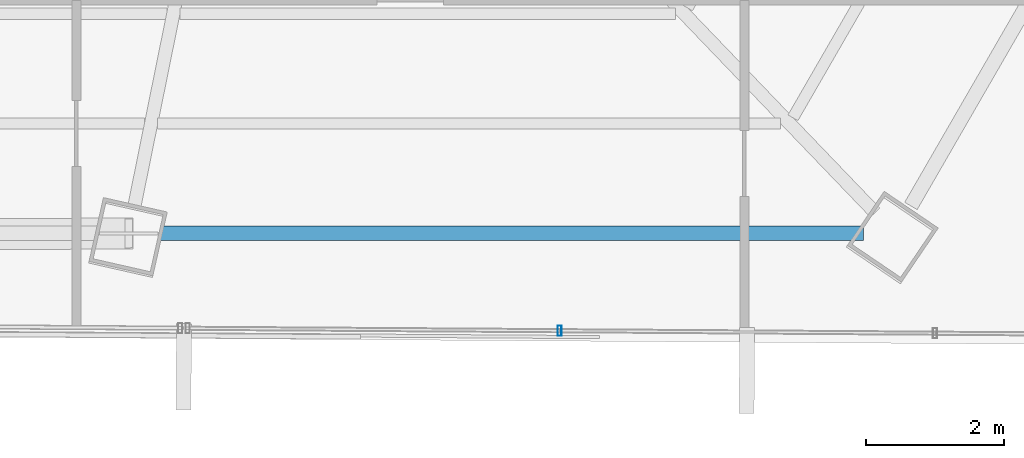
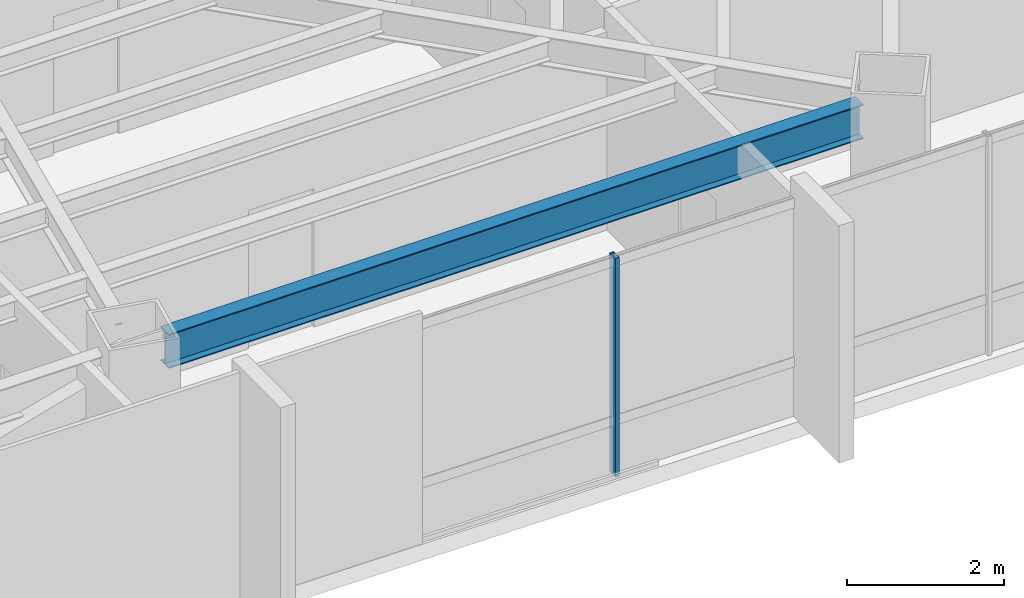
# One storey, part 16 of 40: 1 beam, 1 member, 1 element without a shape of its own.
"""IFC4 building model written with IfcOpenShell, lengths in metres."""

from ifc_helpers import new_model, si_unit, direction, frame, origin, origin_2d, place, context, subcontext, project, spatial, hollow_rectangle, i_section, extrude, source, transform, mapped, material, material_profile, profile_set, type_object, type_shapes, element, aggregate, save


model = new_model("IFC4")

# Units and contexts
model_context = context("Model", 3, precision=1e-05, world=origin(), true_north=direction((0.0, 1.0)))
body_context = subcontext(model_context, "Body", "Model", "MODEL_VIEW")
ifc_project = project(units=[si_unit("LENGTHUNIT", "METRE"), si_unit("AREAUNIT", "SQUARE_METRE"), si_unit("VOLUMEUNIT", "CUBIC_METRE"), si_unit("PLANEANGLEUNIT", "RADIAN"), si_unit("MASSUNIT", "GRAM", prefix="KILO")], contexts=[model_context])

# Site, building, storey
site_placement = place(None, origin())
site = spatial("IfcSite", under=ifc_project, at=site_placement, CompositionType="ELEMENT")
building_placement = place(site_placement, origin())
building = spatial("IfcBuilding", under=site, at=building_placement, Name="Caelisora Broadcast Tower", CompositionType="ELEMENT")
storey_placement = place(building_placement, frame((0.0, 0.0, 176.75)))
storey = spatial("IfcBuildingStorey", under=building, at=storey_placement, Name="L46", CompositionType="ELEMENT", Elevation=176.75)

# Beam
ifc_material_1 = material(Name="Steel Grade 350 (AS/NZS 3679.1)", Category="steel")
ifc_material_profile_1 = material_profile(ifc_material_1, i_section(OverallWidth=0.208984375, OverallDepth=0.532958984375, WebThickness=0.01025390625, FlangeThickness=0.015625, at=origin_2d()), Name="Steel Grade 350 (AS/NZS 3679.1)")
ifc_profile_set_1 = profile_set([ifc_material_profile_1], Name="Steel Grade 350 (AS/NZS 3679.1)")
beam_type = type_object("IfcBeamType", Name="PG05", PredefinedType="BEAM", material=ifc_profile_set_1)
shared_shape_1 = source(origin(), body_context, "Body", "SweptSolid", [
    extrude(i_section(OverallWidth=0.208984375, OverallDepth=0.532958984375, WebThickness=0.01025390625, FlangeThickness=0.015625, at=origin_2d()), origin(), (0.0, 0.0, 1.0), 10.206787109375),
])
type_shapes(beam_type, [shared_shape_1])
beam_placement = place(storey_placement, frame((44.0234375, 7.82666015625, 3.133544921875), z_axis=(1.0, 0.0, 0.0), x_axis=(0.0, 1.0, 0.0)))
element("IfcBeam", 1, at=beam_placement, inside=storey, type_object=beam_type, Name="L46 beam PG05", PredefinedType="BEAM", context=body_context, shape_type="MappedRepresentation", body=[
    mapped(shared_shape_1, transform((0.0, 0.0, 0.0), scale=1.0)),
])

# Curtain wall, member
ifc_material_2 = material(Name="Unitised Aluminium and Low-E Glass Curtain Wall", Category="glass")
curtain_wall_type = type_object("IfcCurtainWallType", Name="CW-Z3", PredefinedType="NOTDEFINED", material=ifc_material_2)
curtain_wall_placement = place(storey_placement, origin())
curtain_wall = element("IfcCurtainWall", 2, at=curtain_wall_placement, inside=storey, type_object=curtain_wall_type, Name="L46 curtain wall CW-Z3", PredefinedType="NOTDEFINED")
ifc_material_3 = material(Name="Aluminium 6063-T6 Anodised Terracotta Bronze", Category="aluminium")
ifc_material_profile_2 = material_profile(ifc_material_3, hollow_rectangle(XDim=0.06005859375, YDim=0.14990234375, WallThickness=0.00341796875, at=origin_2d()), Name="Aluminium 6063-T6 Anodised Terracotta Bronze")
ifc_profile_set_2 = profile_set([ifc_material_profile_2], Name="Aluminium 6063-T6 Anodised Terracotta Bronze")
member_type = type_object("IfcMemberType", Name="CWM-03", PredefinedType="MULLION", material=ifc_profile_set_2)
shared_shape_2 = source(origin(), body_context, "Body", "SweptSolid", [
    extrude(hollow_rectangle(XDim=0.06005859375, YDim=0.14990234375, WallThickness=0.00341796875, at=origin_2d()), origin(), (0.0, 0.0, 1.0), 3.39990234375),
])
type_shapes(member_type, [shared_shape_2])
member_placement = place(storey_placement, frame((49.818603515625, 6.413330078125, 0.0), z_axis=(0.0, 0.0, 1.0), x_axis=(1.0, 0.0, 0.0)))
member = element("IfcMember", 3, at=member_placement, type_object=member_type, Name="L46-CW-B05 mullion #2", PredefinedType="MULLION", context=body_context, shape_type="MappedRepresentation", body=[
    mapped(shared_shape_2, transform((0.0, 0.0, 0.0), scale=1.0)),
])
aggregate(curtain_wall, [member])

save(model, "model.ifc")
